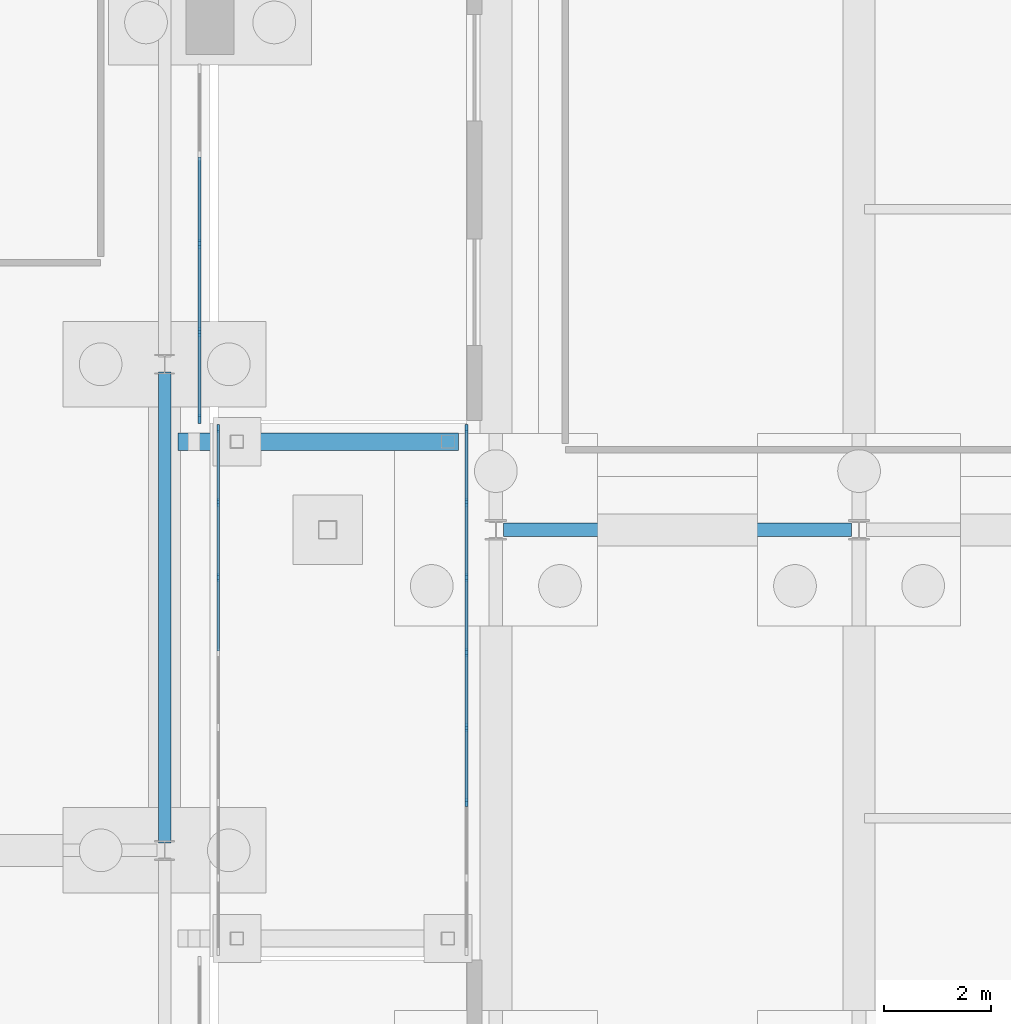
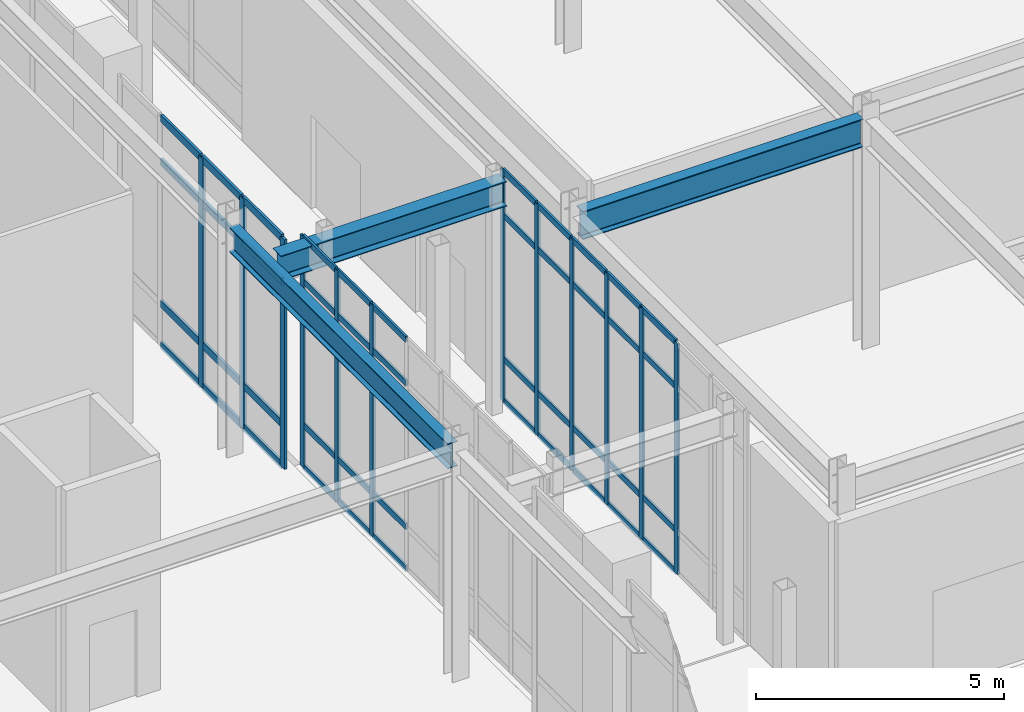
# One storey, part 57 of 143: 56 members, 3 beams, 3 elements without a shape of their own.
"""IFC4 building model written with IfcOpenShell, lengths in metres."""

from ifc_helpers import new_model, si_unit, derived_unit, direction, frame, origin, origin_2d, place, context, subcontext, project, spatial, rectangle, i_section, extrude, material, layer, layer_set, material_profile, profile_set, type_object, element, aggregate, save


model = new_model("IFC4")

# Units and contexts
model_context = context("Model", 3, precision=1e-05, world=origin(), true_north=direction((0.0, 1.0)))
body_context = subcontext(model_context, "Body", "Model", "MODEL_VIEW")
ifc_project = project(units=[si_unit("LENGTHUNIT", "METRE"), si_unit("AREAUNIT", "SQUARE_METRE"), si_unit("VOLUMEUNIT", "CUBIC_METRE"), si_unit("PLANEANGLEUNIT", "RADIAN"), si_unit("MASSUNIT", "GRAM", prefix="KILO"), derived_unit("THERMALTRANSMITTANCEUNIT", [(si_unit("MASSUNIT", "GRAM", prefix="KILO"), 1), (si_unit("TIMEUNIT", "SECOND"), -3), (si_unit("THERMODYNAMICTEMPERATUREUNIT", "KELVIN"), -1)])], contexts=[model_context])

# Site, building, storey
site_placement = place(None, origin())
site = spatial("IfcSite", under=ifc_project, at=site_placement, CompositionType="ELEMENT")
building_placement = place(site_placement, origin())
building = spatial("IfcBuilding", under=site, at=building_placement, Name="Valcora Ridge Arena", CompositionType="ELEMENT")
storey_placement = place(building_placement, origin())
storey = spatial("IfcBuildingStorey", under=building, at=storey_placement, Name="L00", CompositionType="ELEMENT", Elevation=0.0)

# Beams
ifc_material_1 = material(Name="Steel ASTM A572 Grade 50", Category="steel")
ifc_material_profile_1 = material_profile(ifc_material_1, i_section(OverallWidth=0.324951171875, OverallDepth=0.612060546875, WebThickness=0.0126953125, FlangeThickness=0.01904296875, FilletRadius=0.01806640625, at=origin_2d()), Name="W24X104")
ifc_profile_set_1 = profile_set([ifc_material_profile_1], Name="Steel ASTM A572 Grade 50")
beam_type_1 = type_object("IfcBeamType", Name="TY-BEAM-B-SJ1", PredefinedType="BEAM", material=ifc_profile_set_1)
beam_1_placement = place(storey_placement, frame((131.25, 17.64990234375, 5.3740234375), z_axis=(1.0, 0.0, 0.0), x_axis=(0.0, 1.0, 0.0)))
element("IfcBeam", 1, at=beam_1_placement, inside=storey, type_object=beam_type_1, Name="B-SJ1 BEM-SJ-B-SJ1-0004", PredefinedType="BEAM", context=body_context, shape_type="SweptSolid", body=[
    extrude(i_section(OverallWidth=0.324951171875, OverallDepth=0.612060546875, WebThickness=0.0126953125, FlangeThickness=0.01904296875, FilletRadius=0.01806640625, at=origin_2d()), origin(), (0.0, 0.0, 1.0), 5.25),
])
ifc_material_profile_2 = material_profile(ifc_material_1, i_section(OverallWidth=0.22900390625, OverallDepth=0.612060546875, WebThickness=0.011962890625, FlangeThickness=0.01953125, FilletRadius=0.01806640625, at=origin_2d()), Name="W24X84")
ifc_profile_set_2 = profile_set([ifc_material_profile_2], Name="Steel ASTM A572 Grade 50")
beam_type_2 = type_object("IfcBeamType", Name="TY-BEAM-G-W24X84-Y", PredefinedType="BEAM", material=ifc_profile_set_2)
beam_2_placement = place(storey_placement, frame((131.0, 10.139892578125, 5.333984375), z_axis=(0.0, 1.0, 0.0), x_axis=(-1.0, 0.0, 0.0)))
element("IfcBeam", 2, at=beam_2_placement, inside=storey, type_object=beam_type_2, Name="G-W24X84-Y BEM-G-W24X84-Y-0006", PredefinedType="BEAM", context=body_context, shape_type="SweptSolid", body=[
    extrude(i_section(OverallWidth=0.22900390625, OverallDepth=0.612060546875, WebThickness=0.011962890625, FlangeThickness=0.01953125, FilletRadius=0.01806640625, at=origin_2d()), origin(), (0.0, 0.0, 1.0), 8.820068359375),
])
ifc_material_profile_3 = material_profile(ifc_material_1, i_section(OverallWidth=0.256103515625, OverallDepth=0.693115234375, WebThickness=0.014404296875, FlangeThickness=0.023681640625, FilletRadius=0.02001953125, at=origin_2d()), Name="W27X114")
ifc_profile_set_3 = profile_set([ifc_material_profile_3], Name="Steel ASTM A572 Grade 50")
beam_type_3 = type_object("IfcBeamType", Name="TY-BEAM-G-W27X114-X", PredefinedType="BEAM", material=ifc_profile_set_3)
beam_3_placement = place(storey_placement, frame((137.340087890625, 16.0, 5.2734375), z_axis=(1.0, 0.0, 0.0), x_axis=(0.0, 1.0, 0.0)))
element("IfcBeam", 3, at=beam_3_placement, inside=storey, type_object=beam_type_3, Name="G-W27X114-X BEM-G-W27X114-X-0001", PredefinedType="BEAM", context=body_context, shape_type="SweptSolid", body=[
    extrude(i_section(OverallWidth=0.256103515625, OverallDepth=0.693115234375, WebThickness=0.014404296875, FlangeThickness=0.023681640625, FilletRadius=0.02001953125, at=origin_2d()), origin(), (0.0, 0.0, 1.0), 6.52001953125),
])

# Curtain wall, members
ifc_material_2 = material(Name="Anodised dark bronze architectural aluminium 6063-T6", Category="aluminium")
ifc_layer_1 = layer(ifc_material_2, 0.14990234375, Name="Anodised dark bronze architectural aluminium 6063-T6")
ifc_layer_set_1 = layer_set([ifc_layer_1], Name="Anodised dark bronze architectural aluminium 6063-T6")
curtain_wall_type_1 = type_object("IfcCurtainWallType", Name="TY-CURTAINWALL-CW-BRG-098X57", PredefinedType="NOTDEFINED", material=ifc_layer_set_1)
curtain_wall_1_placement = place(storey_placement, origin())
curtain_wall_1 = element("IfcCurtainWall", 4, at=curtain_wall_1_placement, inside=storey, type_object=curtain_wall_type_1, Name="CW-BRG-098X57 CW-0350", PredefinedType="NOTDEFINED")
ifc_material_profile_4 = material_profile(ifc_material_2, rectangle(XDim=0.050048828125, YDim=0.14990234375, at=origin_2d()), Name="ALU MULLION 50x150")
ifc_profile_set_4 = profile_set([ifc_material_profile_4], Name="Anodised dark bronze architectural aluminium 6063-T6")
member_type_1 = type_object("IfcMemberType", Name="TY-MEM-CWM-50x150", PredefinedType="MULLION", material=ifc_profile_set_4)
member_1_placement = place(storey_placement, frame((132.0, 15.108642578125, 0.0), z_axis=(0.0, 0.0, 1.0), x_axis=(-1.0, 0.0, 0.0)))
member_1 = element("IfcMember", 5, at=member_1_placement, type_object=member_type_1, Name="CW-0350/CWM-50x150/M05", PredefinedType="MULLION", context=body_context, shape_type="SweptSolid", body=[
    extrude(rectangle(XDim=0.050048828125, YDim=0.14990234375, at=origin_2d()), origin(), (0.0, 0.0, 1.0), 5.679931640625),
])
member_2_placement = place(storey_placement, frame((132.0, 16.514404296875, 0.0), z_axis=(0.0, 0.0, 1.0), x_axis=(-1.0, 0.0, 0.0)))
member_2 = element("IfcMember", 6, at=member_2_placement, type_object=member_type_1, Name="CW-0350/CWM-50x150/M06", PredefinedType="MULLION", context=body_context, shape_type="SweptSolid", body=[
    extrude(rectangle(XDim=0.050048828125, YDim=0.14990234375, at=origin_2d()), origin(), (0.0, 0.0, 1.0), 5.679931640625),
])
member_3_placement = place(storey_placement, frame((132.0, 17.89501953125, 0.0), z_axis=(0.0, 0.0, 1.0), x_axis=(-1.0, 0.0, 0.0)))
member_3 = element("IfcMember", 7, at=member_3_placement, type_object=member_type_1, Name="CW-0350/CWM-50x150/M07", PredefinedType="MULLION", context=body_context, shape_type="SweptSolid", body=[
    extrude(rectangle(XDim=0.050048828125, YDim=0.14990234375, at=origin_2d()), origin(), (0.0, 0.0, 1.0), 5.679931640625),
])

curtain_wall_2_placement = place(storey_placement, origin())
curtain_wall_2 = element("IfcCurtainWall", 8, at=curtain_wall_2_placement, inside=storey, type_object=curtain_wall_type_1, Name="CW-BRG-098X57 CW-0351", PredefinedType="NOTDEFINED")
member_4_placement = place(storey_placement, frame((136.64990234375, 10.891357421875, 0.0), z_axis=(0.0, 0.0, 1.0), x_axis=(-1.0, 0.0, 0.0)))
member_4 = element("IfcMember", 9, at=member_4_placement, type_object=member_type_1, Name="CW-0351/CWM-50x150/M02", PredefinedType="MULLION", context=body_context, shape_type="SweptSolid", body=[
    extrude(rectangle(XDim=0.050048828125, YDim=0.14990234375, at=origin_2d()), origin(), (0.0, 0.0, 1.0), 5.679931640625),
])
member_5_placement = place(storey_placement, frame((136.64990234375, 12.297119140625, 0.0), z_axis=(0.0, 0.0, 1.0), x_axis=(-1.0, 0.0, 0.0)))
member_5 = element("IfcMember", 10, at=member_5_placement, type_object=member_type_1, Name="CW-0351/CWM-50x150/M03", PredefinedType="MULLION", context=body_context, shape_type="SweptSolid", body=[
    extrude(rectangle(XDim=0.050048828125, YDim=0.14990234375, at=origin_2d()), origin(), (0.0, 0.0, 1.0), 5.679931640625),
])
member_6_placement = place(storey_placement, frame((136.64990234375, 13.702880859375, 0.0), z_axis=(0.0, 0.0, 1.0), x_axis=(-1.0, 0.0, 0.0)))
member_6 = element("IfcMember", 11, at=member_6_placement, type_object=member_type_1, Name="CW-0351/CWM-50x150/M04", PredefinedType="MULLION", context=body_context, shape_type="SweptSolid", body=[
    extrude(rectangle(XDim=0.050048828125, YDim=0.14990234375, at=origin_2d()), origin(), (0.0, 0.0, 1.0), 5.679931640625),
])
member_7_placement = place(storey_placement, frame((136.64990234375, 15.108642578125, 0.0), z_axis=(0.0, 0.0, 1.0), x_axis=(-1.0, 0.0, 0.0)))
member_7 = element("IfcMember", 12, at=member_7_placement, type_object=member_type_1, Name="CW-0351/CWM-50x150/M05", PredefinedType="MULLION", context=body_context, shape_type="SweptSolid", body=[
    extrude(rectangle(XDim=0.050048828125, YDim=0.14990234375, at=origin_2d()), origin(), (0.0, 0.0, 1.0), 5.679931640625),
])
member_8_placement = place(storey_placement, frame((136.64990234375, 16.514404296875, 0.0), z_axis=(0.0, 0.0, 1.0), x_axis=(-1.0, 0.0, 0.0)))
member_8 = element("IfcMember", 13, at=member_8_placement, type_object=member_type_1, Name="CW-0351/CWM-50x150/M06", PredefinedType="MULLION", context=body_context, shape_type="SweptSolid", body=[
    extrude(rectangle(XDim=0.050048828125, YDim=0.14990234375, at=origin_2d()), origin(), (0.0, 0.0, 1.0), 5.679931640625),
])
member_9_placement = place(storey_placement, frame((136.64990234375, 17.89501953125, 0.0), z_axis=(0.0, 0.0, 1.0), x_axis=(-1.0, 0.0, 0.0)))
member_9 = element("IfcMember", 14, at=member_9_placement, type_object=member_type_1, Name="CW-0351/CWM-50x150/M07", PredefinedType="MULLION", context=body_context, shape_type="SweptSolid", body=[
    extrude(rectangle(XDim=0.050048828125, YDim=0.14990234375, at=origin_2d()), origin(), (0.0, 0.0, 1.0), 5.679931640625),
])

ifc_layer_2 = layer(ifc_material_2, 0.179931640625, Name="Anodised dark bronze architectural aluminium 6063-T6")
ifc_layer_set_2 = layer_set([ifc_layer_2], Name="Anodised dark bronze architectural aluminium 6063-T6")
curtain_wall_type_2 = type_object("IfcCurtainWallType", Name="TY-CURTAINWALL-CW-V3-LANCET-066X56", PredefinedType="NOTDEFINED", material=ifc_layer_set_2)
curtain_wall_3_placement = place(storey_placement, origin())
curtain_wall_3 = element("IfcCurtainWall", 15, at=curtain_wall_3_placement, inside=storey, type_object=curtain_wall_type_2, Name="CW-V3-LANCET-066X56 CW-0004", PredefinedType="NOTDEFINED")
ifc_material_profile_5 = material_profile(ifc_material_2, rectangle(XDim=0.06005859375, YDim=0.179931640625, at=origin_2d()), Name="ALU MULLION 60x180")
ifc_profile_set_5 = profile_set([ifc_material_profile_5], Name="Anodised dark bronze architectural aluminium 6063-T6")
member_type_2 = type_object("IfcMemberType", Name="TY-MEM-CWM-60x180", PredefinedType="MULLION", material=ifc_profile_set_5)
member_10_placement = place(storey_placement, frame((131.64990234375, 18.080078125, 0.0), z_axis=(0.0, 0.0, 1.0), x_axis=(-1.0, 0.0, 0.0)))
member_10 = element("IfcMember", 16, at=member_10_placement, type_object=member_type_2, Name="CW-0004/CWM-60x180/M00", PredefinedType="MULLION", context=body_context, shape_type="SweptSolid", body=[
    extrude(rectangle(XDim=0.06005859375, YDim=0.179931640625, at=origin_2d()), origin(), (0.0, 0.0, 1.0), 5.639892578125),
])
member_11_placement = place(storey_placement, frame((131.64990234375, 19.702392578125, 0.0), z_axis=(0.0, 0.0, 1.0), x_axis=(-1.0, 0.0, 0.0)))
member_11 = element("IfcMember", 17, at=member_11_placement, type_object=member_type_2, Name="CW-0004/CWM-60x180/M01", PredefinedType="MULLION", context=body_context, shape_type="SweptSolid", body=[
    extrude(rectangle(XDim=0.06005859375, YDim=0.179931640625, at=origin_2d()), origin(), (0.0, 0.0, 1.0), 5.639892578125),
])
member_12_placement = place(storey_placement, frame((131.64990234375, 21.35498046875, 0.0), z_axis=(0.0, 0.0, 1.0), x_axis=(-1.0, 0.0, 0.0)))
member_12 = element("IfcMember", 18, at=member_12_placement, type_object=member_type_2, Name="CW-0004/CWM-60x180/M02", PredefinedType="MULLION", context=body_context, shape_type="SweptSolid", body=[
    extrude(rectangle(XDim=0.06005859375, YDim=0.179931640625, at=origin_2d()), origin(), (0.0, 0.0, 1.0), 5.639892578125),
])

# Member
ifc_material_profile_6 = material_profile(ifc_material_2, rectangle(XDim=0.050048828125, YDim=0.14990234375, at=origin_2d()), Name="ALU TRANSOM 50x150")
ifc_profile_set_6 = profile_set([ifc_material_profile_6], Name="Anodised dark bronze architectural aluminium 6063-T6")
member_type_3 = type_object("IfcMemberType", Name="TY-MEM-CWT-50x150", PredefinedType="USERDEFINED", material=ifc_profile_set_6)
member_13_placement = place(storey_placement, frame((132.0, 13.72802734375, 0.02490234375), z_axis=(0.0, 1.0, 0.0), x_axis=(-1.0, 0.0, 0.0)))
member_13 = element("IfcMember", 19, at=member_13_placement, type_object=member_type_3, Name="CW-0350/CWT-50x150/T04-00", ObjectType="TRANSOM", PredefinedType="USERDEFINED", context=body_context, shape_type="SweptSolid", body=[
    extrude(rectangle(XDim=0.050048828125, YDim=0.14990234375, at=origin_2d()), origin(), (0.0, 0.0, 1.0), 1.35595703125),
])

member_14_placement = place(storey_placement, frame((132.0, 13.72802734375, 1.050048828125), z_axis=(0.0, 1.0, 0.0), x_axis=(-1.0, 0.0, 0.0)))
member_14 = element("IfcMember", 20, at=member_14_placement, type_object=member_type_3, Name="CW-0350/CWT-50x150/T04-01", ObjectType="TRANSOM", PredefinedType="USERDEFINED", context=body_context, shape_type="SweptSolid", body=[
    extrude(rectangle(XDim=0.050048828125, YDim=0.14990234375, at=origin_2d()), origin(), (0.0, 0.0, 1.0), 1.35595703125),
])

member_15_placement = place(storey_placement, frame((132.0, 13.72802734375, 4.580078125), z_axis=(0.0, 1.0, 0.0), x_axis=(-1.0, 0.0, 0.0)))
member_15 = element("IfcMember", 21, at=member_15_placement, type_object=member_type_3, Name="CW-0350/CWT-50x150/T04-02", ObjectType="TRANSOM", PredefinedType="USERDEFINED", context=body_context, shape_type="SweptSolid", body=[
    extrude(rectangle(XDim=0.050048828125, YDim=0.14990234375, at=origin_2d()), origin(), (0.0, 0.0, 1.0), 1.35595703125),
])

member_16_placement = place(storey_placement, frame((132.0, 13.72802734375, 5.655029296875), z_axis=(0.0, 1.0, 0.0), x_axis=(-1.0, 0.0, 0.0)))
member_16 = element("IfcMember", 22, at=member_16_placement, type_object=member_type_3, Name="CW-0350/CWT-50x150/T04-03", ObjectType="TRANSOM", PredefinedType="USERDEFINED", context=body_context, shape_type="SweptSolid", body=[
    extrude(rectangle(XDim=0.050048828125, YDim=0.14990234375, at=origin_2d()), origin(), (0.0, 0.0, 1.0), 1.35595703125),
])

member_17_placement = place(storey_placement, frame((132.0, 15.134033203125, 0.02490234375), z_axis=(0.0, 1.0, 0.0), x_axis=(-1.0, 0.0, 0.0)))
member_17 = element("IfcMember", 23, at=member_17_placement, type_object=member_type_3, Name="CW-0350/CWT-50x150/T05-00", ObjectType="TRANSOM", PredefinedType="USERDEFINED", context=body_context, shape_type="SweptSolid", body=[
    extrude(rectangle(XDim=0.050048828125, YDim=0.14990234375, at=origin_2d()), origin(), (0.0, 0.0, 1.0), 1.35498046875),
])

member_18_placement = place(storey_placement, frame((132.0, 15.134033203125, 1.050048828125), z_axis=(0.0, 1.0, 0.0), x_axis=(-1.0, 0.0, 0.0)))
member_18 = element("IfcMember", 24, at=member_18_placement, type_object=member_type_3, Name="CW-0350/CWT-50x150/T05-01", ObjectType="TRANSOM", PredefinedType="USERDEFINED", context=body_context, shape_type="SweptSolid", body=[
    extrude(rectangle(XDim=0.050048828125, YDim=0.14990234375, at=origin_2d()), origin(), (0.0, 0.0, 1.0), 1.35498046875),
])

member_19_placement = place(storey_placement, frame((132.0, 15.134033203125, 4.580078125), z_axis=(0.0, 1.0, 0.0), x_axis=(-1.0, 0.0, 0.0)))
member_19 = element("IfcMember", 25, at=member_19_placement, type_object=member_type_3, Name="CW-0350/CWT-50x150/T05-02", ObjectType="TRANSOM", PredefinedType="USERDEFINED", context=body_context, shape_type="SweptSolid", body=[
    extrude(rectangle(XDim=0.050048828125, YDim=0.14990234375, at=origin_2d()), origin(), (0.0, 0.0, 1.0), 1.35498046875),
])

member_20_placement = place(storey_placement, frame((132.0, 15.134033203125, 5.655029296875), z_axis=(0.0, 1.0, 0.0), x_axis=(-1.0, 0.0, 0.0)))
member_20 = element("IfcMember", 26, at=member_20_placement, type_object=member_type_3, Name="CW-0350/CWT-50x150/T05-03", ObjectType="TRANSOM", PredefinedType="USERDEFINED", context=body_context, shape_type="SweptSolid", body=[
    extrude(rectangle(XDim=0.050048828125, YDim=0.14990234375, at=origin_2d()), origin(), (0.0, 0.0, 1.0), 1.35498046875),
])

member_21_placement = place(storey_placement, frame((132.0, 16.5390625, 0.02490234375), z_axis=(0.0, 1.0, 0.0), x_axis=(-1.0, 0.0, 0.0)))
member_21 = element("IfcMember", 27, at=member_21_placement, type_object=member_type_3, Name="CW-0350/CWT-50x150/T06-00", ObjectType="TRANSOM", PredefinedType="USERDEFINED", context=body_context, shape_type="SweptSolid", body=[
    extrude(rectangle(XDim=0.050048828125, YDim=0.14990234375, at=origin_2d()), origin(), (0.0, 0.0, 1.0), 1.3310546875),
])

member_22_placement = place(storey_placement, frame((132.0, 16.5390625, 1.050048828125), z_axis=(0.0, 1.0, 0.0), x_axis=(-1.0, 0.0, 0.0)))
member_22 = element("IfcMember", 28, at=member_22_placement, type_object=member_type_3, Name="CW-0350/CWT-50x150/T06-01", ObjectType="TRANSOM", PredefinedType="USERDEFINED", context=body_context, shape_type="SweptSolid", body=[
    extrude(rectangle(XDim=0.050048828125, YDim=0.14990234375, at=origin_2d()), origin(), (0.0, 0.0, 1.0), 1.3310546875),
])

member_23_placement = place(storey_placement, frame((132.0, 16.5390625, 4.580078125), z_axis=(0.0, 1.0, 0.0), x_axis=(-1.0, 0.0, 0.0)))
member_23 = element("IfcMember", 29, at=member_23_placement, type_object=member_type_3, Name="CW-0350/CWT-50x150/T06-02", ObjectType="TRANSOM", PredefinedType="USERDEFINED", context=body_context, shape_type="SweptSolid", body=[
    extrude(rectangle(XDim=0.050048828125, YDim=0.14990234375, at=origin_2d()), origin(), (0.0, 0.0, 1.0), 1.3310546875),
])

member_24_placement = place(storey_placement, frame((132.0, 16.5390625, 5.655029296875), z_axis=(0.0, 1.0, 0.0), x_axis=(-1.0, 0.0, 0.0)))
member_24 = element("IfcMember", 30, at=member_24_placement, type_object=member_type_3, Name="CW-0350/CWT-50x150/T06-03", ObjectType="TRANSOM", PredefinedType="USERDEFINED", context=body_context, shape_type="SweptSolid", body=[
    extrude(rectangle(XDim=0.050048828125, YDim=0.14990234375, at=origin_2d()), origin(), (0.0, 0.0, 1.0), 1.3310546875),
])

aggregate(curtain_wall_1, [member_1, member_2, member_3, member_13, member_14, member_15, member_16, member_17, member_18, member_19, member_20, member_21, member_22, member_23, member_24])

member_25_placement = place(storey_placement, frame((136.64990234375, 10.916015625, 0.02490234375), z_axis=(0.0, 1.0, 0.0), x_axis=(-1.0, 0.0, 0.0)))
member_25 = element("IfcMember", 31, at=member_25_placement, type_object=member_type_3, Name="CW-0351/CWT-50x150/T02-00", ObjectType="TRANSOM", PredefinedType="USERDEFINED", context=body_context, shape_type="SweptSolid", body=[
    extrude(rectangle(XDim=0.050048828125, YDim=0.14990234375, at=origin_2d()), origin(), (0.0, 0.0, 1.0), 1.35595703125),
])

member_26_placement = place(storey_placement, frame((136.64990234375, 10.916015625, 1.050048828125), z_axis=(0.0, 1.0, 0.0), x_axis=(-1.0, 0.0, 0.0)))
member_26 = element("IfcMember", 32, at=member_26_placement, type_object=member_type_3, Name="CW-0351/CWT-50x150/T02-01", ObjectType="TRANSOM", PredefinedType="USERDEFINED", context=body_context, shape_type="SweptSolid", body=[
    extrude(rectangle(XDim=0.050048828125, YDim=0.14990234375, at=origin_2d()), origin(), (0.0, 0.0, 1.0), 1.35595703125),
])

member_27_placement = place(storey_placement, frame((136.64990234375, 10.916015625, 4.580078125), z_axis=(0.0, 1.0, 0.0), x_axis=(-1.0, 0.0, 0.0)))
member_27 = element("IfcMember", 33, at=member_27_placement, type_object=member_type_3, Name="CW-0351/CWT-50x150/T02-02", ObjectType="TRANSOM", PredefinedType="USERDEFINED", context=body_context, shape_type="SweptSolid", body=[
    extrude(rectangle(XDim=0.050048828125, YDim=0.14990234375, at=origin_2d()), origin(), (0.0, 0.0, 1.0), 1.35595703125),
])

member_28_placement = place(storey_placement, frame((136.64990234375, 10.916015625, 5.655029296875), z_axis=(0.0, 1.0, 0.0), x_axis=(-1.0, 0.0, 0.0)))
member_28 = element("IfcMember", 34, at=member_28_placement, type_object=member_type_3, Name="CW-0351/CWT-50x150/T02-03", ObjectType="TRANSOM", PredefinedType="USERDEFINED", context=body_context, shape_type="SweptSolid", body=[
    extrude(rectangle(XDim=0.050048828125, YDim=0.14990234375, at=origin_2d()), origin(), (0.0, 0.0, 1.0), 1.35595703125),
])

member_29_placement = place(storey_placement, frame((136.64990234375, 12.322021484375, 0.02490234375), z_axis=(0.0, 1.0, 0.0), x_axis=(-1.0, 0.0, 0.0)))
member_29 = element("IfcMember", 35, at=member_29_placement, type_object=member_type_3, Name="CW-0351/CWT-50x150/T03-00", ObjectType="TRANSOM", PredefinedType="USERDEFINED", context=body_context, shape_type="SweptSolid", body=[
    extrude(rectangle(XDim=0.050048828125, YDim=0.14990234375, at=origin_2d()), origin(), (0.0, 0.0, 1.0), 1.35595703125),
])

member_30_placement = place(storey_placement, frame((136.64990234375, 12.322021484375, 1.050048828125), z_axis=(0.0, 1.0, 0.0), x_axis=(-1.0, 0.0, 0.0)))
member_30 = element("IfcMember", 36, at=member_30_placement, type_object=member_type_3, Name="CW-0351/CWT-50x150/T03-01", ObjectType="TRANSOM", PredefinedType="USERDEFINED", context=body_context, shape_type="SweptSolid", body=[
    extrude(rectangle(XDim=0.050048828125, YDim=0.14990234375, at=origin_2d()), origin(), (0.0, 0.0, 1.0), 1.35595703125),
])

member_31_placement = place(storey_placement, frame((136.64990234375, 12.322021484375, 4.580078125), z_axis=(0.0, 1.0, 0.0), x_axis=(-1.0, 0.0, 0.0)))
member_31 = element("IfcMember", 37, at=member_31_placement, type_object=member_type_3, Name="CW-0351/CWT-50x150/T03-02", ObjectType="TRANSOM", PredefinedType="USERDEFINED", context=body_context, shape_type="SweptSolid", body=[
    extrude(rectangle(XDim=0.050048828125, YDim=0.14990234375, at=origin_2d()), origin(), (0.0, 0.0, 1.0), 1.35595703125),
])

member_32_placement = place(storey_placement, frame((136.64990234375, 12.322021484375, 5.655029296875), z_axis=(0.0, 1.0, 0.0), x_axis=(-1.0, 0.0, 0.0)))
member_32 = element("IfcMember", 38, at=member_32_placement, type_object=member_type_3, Name="CW-0351/CWT-50x150/T03-03", ObjectType="TRANSOM", PredefinedType="USERDEFINED", context=body_context, shape_type="SweptSolid", body=[
    extrude(rectangle(XDim=0.050048828125, YDim=0.14990234375, at=origin_2d()), origin(), (0.0, 0.0, 1.0), 1.35595703125),
])

member_33_placement = place(storey_placement, frame((136.64990234375, 13.72802734375, 0.02490234375), z_axis=(0.0, 1.0, 0.0), x_axis=(-1.0, 0.0, 0.0)))
member_33 = element("IfcMember", 39, at=member_33_placement, type_object=member_type_3, Name="CW-0351/CWT-50x150/T04-00", ObjectType="TRANSOM", PredefinedType="USERDEFINED", context=body_context, shape_type="SweptSolid", body=[
    extrude(rectangle(XDim=0.050048828125, YDim=0.14990234375, at=origin_2d()), origin(), (0.0, 0.0, 1.0), 1.35595703125),
])

member_34_placement = place(storey_placement, frame((136.64990234375, 13.72802734375, 1.050048828125), z_axis=(0.0, 1.0, 0.0), x_axis=(-1.0, 0.0, 0.0)))
member_34 = element("IfcMember", 40, at=member_34_placement, type_object=member_type_3, Name="CW-0351/CWT-50x150/T04-01", ObjectType="TRANSOM", PredefinedType="USERDEFINED", context=body_context, shape_type="SweptSolid", body=[
    extrude(rectangle(XDim=0.050048828125, YDim=0.14990234375, at=origin_2d()), origin(), (0.0, 0.0, 1.0), 1.35595703125),
])

member_35_placement = place(storey_placement, frame((136.64990234375, 13.72802734375, 4.580078125), z_axis=(0.0, 1.0, 0.0), x_axis=(-1.0, 0.0, 0.0)))
member_35 = element("IfcMember", 41, at=member_35_placement, type_object=member_type_3, Name="CW-0351/CWT-50x150/T04-02", ObjectType="TRANSOM", PredefinedType="USERDEFINED", context=body_context, shape_type="SweptSolid", body=[
    extrude(rectangle(XDim=0.050048828125, YDim=0.14990234375, at=origin_2d()), origin(), (0.0, 0.0, 1.0), 1.35595703125),
])

member_36_placement = place(storey_placement, frame((136.64990234375, 13.72802734375, 5.655029296875), z_axis=(0.0, 1.0, 0.0), x_axis=(-1.0, 0.0, 0.0)))
member_36 = element("IfcMember", 42, at=member_36_placement, type_object=member_type_3, Name="CW-0351/CWT-50x150/T04-03", ObjectType="TRANSOM", PredefinedType="USERDEFINED", context=body_context, shape_type="SweptSolid", body=[
    extrude(rectangle(XDim=0.050048828125, YDim=0.14990234375, at=origin_2d()), origin(), (0.0, 0.0, 1.0), 1.35595703125),
])

member_37_placement = place(storey_placement, frame((136.64990234375, 15.134033203125, 0.02490234375), z_axis=(0.0, 1.0, 0.0), x_axis=(-1.0, 0.0, 0.0)))
member_37 = element("IfcMember", 43, at=member_37_placement, type_object=member_type_3, Name="CW-0351/CWT-50x150/T05-00", ObjectType="TRANSOM", PredefinedType="USERDEFINED", context=body_context, shape_type="SweptSolid", body=[
    extrude(rectangle(XDim=0.050048828125, YDim=0.14990234375, at=origin_2d()), origin(), (0.0, 0.0, 1.0), 1.35498046875),
])

member_38_placement = place(storey_placement, frame((136.64990234375, 15.134033203125, 1.050048828125), z_axis=(0.0, 1.0, 0.0), x_axis=(-1.0, 0.0, 0.0)))
member_38 = element("IfcMember", 44, at=member_38_placement, type_object=member_type_3, Name="CW-0351/CWT-50x150/T05-01", ObjectType="TRANSOM", PredefinedType="USERDEFINED", context=body_context, shape_type="SweptSolid", body=[
    extrude(rectangle(XDim=0.050048828125, YDim=0.14990234375, at=origin_2d()), origin(), (0.0, 0.0, 1.0), 1.35498046875),
])

member_39_placement = place(storey_placement, frame((136.64990234375, 15.134033203125, 4.580078125), z_axis=(0.0, 1.0, 0.0), x_axis=(-1.0, 0.0, 0.0)))
member_39 = element("IfcMember", 45, at=member_39_placement, type_object=member_type_3, Name="CW-0351/CWT-50x150/T05-02", ObjectType="TRANSOM", PredefinedType="USERDEFINED", context=body_context, shape_type="SweptSolid", body=[
    extrude(rectangle(XDim=0.050048828125, YDim=0.14990234375, at=origin_2d()), origin(), (0.0, 0.0, 1.0), 1.35498046875),
])

member_40_placement = place(storey_placement, frame((136.64990234375, 15.134033203125, 5.655029296875), z_axis=(0.0, 1.0, 0.0), x_axis=(-1.0, 0.0, 0.0)))
member_40 = element("IfcMember", 46, at=member_40_placement, type_object=member_type_3, Name="CW-0351/CWT-50x150/T05-03", ObjectType="TRANSOM", PredefinedType="USERDEFINED", context=body_context, shape_type="SweptSolid", body=[
    extrude(rectangle(XDim=0.050048828125, YDim=0.14990234375, at=origin_2d()), origin(), (0.0, 0.0, 1.0), 1.35498046875),
])

member_41_placement = place(storey_placement, frame((136.64990234375, 16.5390625, 0.02490234375), z_axis=(0.0, 1.0, 0.0), x_axis=(-1.0, 0.0, 0.0)))
member_41 = element("IfcMember", 47, at=member_41_placement, type_object=member_type_3, Name="CW-0351/CWT-50x150/T06-00", ObjectType="TRANSOM", PredefinedType="USERDEFINED", context=body_context, shape_type="SweptSolid", body=[
    extrude(rectangle(XDim=0.050048828125, YDim=0.14990234375, at=origin_2d()), origin(), (0.0, 0.0, 1.0), 1.3310546875),
])

member_42_placement = place(storey_placement, frame((136.64990234375, 16.5390625, 1.050048828125), z_axis=(0.0, 1.0, 0.0), x_axis=(-1.0, 0.0, 0.0)))
member_42 = element("IfcMember", 48, at=member_42_placement, type_object=member_type_3, Name="CW-0351/CWT-50x150/T06-01", ObjectType="TRANSOM", PredefinedType="USERDEFINED", context=body_context, shape_type="SweptSolid", body=[
    extrude(rectangle(XDim=0.050048828125, YDim=0.14990234375, at=origin_2d()), origin(), (0.0, 0.0, 1.0), 1.3310546875),
])

member_43_placement = place(storey_placement, frame((136.64990234375, 16.5390625, 4.580078125), z_axis=(0.0, 1.0, 0.0), x_axis=(-1.0, 0.0, 0.0)))
member_43 = element("IfcMember", 49, at=member_43_placement, type_object=member_type_3, Name="CW-0351/CWT-50x150/T06-02", ObjectType="TRANSOM", PredefinedType="USERDEFINED", context=body_context, shape_type="SweptSolid", body=[
    extrude(rectangle(XDim=0.050048828125, YDim=0.14990234375, at=origin_2d()), origin(), (0.0, 0.0, 1.0), 1.3310546875),
])

member_44_placement = place(storey_placement, frame((136.64990234375, 16.5390625, 5.655029296875), z_axis=(0.0, 1.0, 0.0), x_axis=(-1.0, 0.0, 0.0)))
member_44 = element("IfcMember", 50, at=member_44_placement, type_object=member_type_3, Name="CW-0351/CWT-50x150/T06-03", ObjectType="TRANSOM", PredefinedType="USERDEFINED", context=body_context, shape_type="SweptSolid", body=[
    extrude(rectangle(XDim=0.050048828125, YDim=0.14990234375, at=origin_2d()), origin(), (0.0, 0.0, 1.0), 1.3310546875),
])

aggregate(curtain_wall_2, [member_4, member_5, member_6, member_7, member_8, member_9, member_25, member_26, member_27, member_28, member_29, member_30, member_31, member_32, member_33, member_34, member_35, member_36, member_37, member_38, member_39, member_40, member_41, member_42, member_43, member_44])

ifc_material_profile_7 = material_profile(ifc_material_2, rectangle(XDim=0.06005859375, YDim=0.179931640625, at=origin_2d()), Name="ALU TRANSOM 60x180")
ifc_profile_set_7 = profile_set([ifc_material_profile_7], Name="Anodised dark bronze architectural aluminium 6063-T6")
member_type_4 = type_object("IfcMemberType", Name="TY-MEM-CWT-60x180", PredefinedType="USERDEFINED", material=ifc_profile_set_7)
member_45_placement = place(storey_placement, frame((131.64990234375, 18.110107421875, 0.030029296875), z_axis=(0.0, 1.0, 0.0), x_axis=(-1.0, 0.0, 0.0)))
member_45 = element("IfcMember", 51, at=member_45_placement, type_object=member_type_4, Name="CW-0004/CWT-60x180/T00-00", ObjectType="TRANSOM", PredefinedType="USERDEFINED", context=body_context, shape_type="SweptSolid", body=[
    extrude(rectangle(XDim=0.06005859375, YDim=0.179931640625, at=origin_2d()), origin(), (0.0, 0.0, 1.0), 1.56298828125),
])

member_46_placement = place(storey_placement, frame((131.64990234375, 18.110107421875, 1.050048828125), z_axis=(0.0, 1.0, 0.0), x_axis=(-1.0, 0.0, 0.0)))
member_46 = element("IfcMember", 52, at=member_46_placement, type_object=member_type_4, Name="CW-0004/CWT-60x180/T00-01", ObjectType="TRANSOM", PredefinedType="USERDEFINED", context=body_context, shape_type="SweptSolid", body=[
    extrude(rectangle(XDim=0.06005859375, YDim=0.179931640625, at=origin_2d()), origin(), (0.0, 0.0, 1.0), 1.56298828125),
])

member_47_placement = place(storey_placement, frame((131.64990234375, 18.110107421875, 4.5400390625), z_axis=(0.0, 1.0, 0.0), x_axis=(-1.0, 0.0, 0.0)))
member_47 = element("IfcMember", 53, at=member_47_placement, type_object=member_type_4, Name="CW-0004/CWT-60x180/T00-02", ObjectType="TRANSOM", PredefinedType="USERDEFINED", context=body_context, shape_type="SweptSolid", body=[
    extrude(rectangle(XDim=0.06005859375, YDim=0.179931640625, at=origin_2d()), origin(), (0.0, 0.0, 1.0), 1.56298828125),
])

member_48_placement = place(storey_placement, frame((131.64990234375, 18.110107421875, 5.610107421875), z_axis=(0.0, 1.0, 0.0), x_axis=(-1.0, 0.0, 0.0)))
member_48 = element("IfcMember", 54, at=member_48_placement, type_object=member_type_4, Name="CW-0004/CWT-60x180/T00-03", ObjectType="TRANSOM", PredefinedType="USERDEFINED", context=body_context, shape_type="SweptSolid", body=[
    extrude(rectangle(XDim=0.06005859375, YDim=0.179931640625, at=origin_2d()), origin(), (0.0, 0.0, 1.0), 1.56298828125),
])

member_49_placement = place(storey_placement, frame((131.64990234375, 19.73291015625, 0.030029296875), z_axis=(0.0, 1.0, 0.0), x_axis=(-1.0, 0.0, 0.0)))
member_49 = element("IfcMember", 55, at=member_49_placement, type_object=member_type_4, Name="CW-0004/CWT-60x180/T01-00", ObjectType="TRANSOM", PredefinedType="USERDEFINED", context=body_context, shape_type="SweptSolid", body=[
    extrude(rectangle(XDim=0.06005859375, YDim=0.179931640625, at=origin_2d()), origin(), (0.0, 0.0, 1.0), 1.592041015625),
])

member_50_placement = place(storey_placement, frame((131.64990234375, 19.73291015625, 1.050048828125), z_axis=(0.0, 1.0, 0.0), x_axis=(-1.0, 0.0, 0.0)))
member_50 = element("IfcMember", 56, at=member_50_placement, type_object=member_type_4, Name="CW-0004/CWT-60x180/T01-01", ObjectType="TRANSOM", PredefinedType="USERDEFINED", context=body_context, shape_type="SweptSolid", body=[
    extrude(rectangle(XDim=0.06005859375, YDim=0.179931640625, at=origin_2d()), origin(), (0.0, 0.0, 1.0), 1.592041015625),
])

member_51_placement = place(storey_placement, frame((131.64990234375, 19.73291015625, 4.5400390625), z_axis=(0.0, 1.0, 0.0), x_axis=(-1.0, 0.0, 0.0)))
member_51 = element("IfcMember", 57, at=member_51_placement, type_object=member_type_4, Name="CW-0004/CWT-60x180/T01-02", ObjectType="TRANSOM", PredefinedType="USERDEFINED", context=body_context, shape_type="SweptSolid", body=[
    extrude(rectangle(XDim=0.06005859375, YDim=0.179931640625, at=origin_2d()), origin(), (0.0, 0.0, 1.0), 1.592041015625),
])

member_52_placement = place(storey_placement, frame((131.64990234375, 19.73291015625, 5.610107421875), z_axis=(0.0, 1.0, 0.0), x_axis=(-1.0, 0.0, 0.0)))
member_52 = element("IfcMember", 58, at=member_52_placement, type_object=member_type_4, Name="CW-0004/CWT-60x180/T01-03", ObjectType="TRANSOM", PredefinedType="USERDEFINED", context=body_context, shape_type="SweptSolid", body=[
    extrude(rectangle(XDim=0.06005859375, YDim=0.179931640625, at=origin_2d()), origin(), (0.0, 0.0, 1.0), 1.592041015625),
])

member_53_placement = place(storey_placement, frame((131.64990234375, 21.385009765625, 0.030029296875), z_axis=(0.0, 1.0, 0.0), x_axis=(-1.0, 0.0, 0.0)))
member_53 = element("IfcMember", 59, at=member_53_placement, type_object=member_type_4, Name="CW-0004/CWT-60x180/T02-00", ObjectType="TRANSOM", PredefinedType="USERDEFINED", context=body_context, shape_type="SweptSolid", body=[
    extrude(rectangle(XDim=0.06005859375, YDim=0.179931640625, at=origin_2d()), origin(), (0.0, 0.0, 1.0), 1.593017578125),
])

member_54_placement = place(storey_placement, frame((131.64990234375, 21.385009765625, 1.050048828125), z_axis=(0.0, 1.0, 0.0), x_axis=(-1.0, 0.0, 0.0)))
member_54 = element("IfcMember", 60, at=member_54_placement, type_object=member_type_4, Name="CW-0004/CWT-60x180/T02-01", ObjectType="TRANSOM", PredefinedType="USERDEFINED", context=body_context, shape_type="SweptSolid", body=[
    extrude(rectangle(XDim=0.06005859375, YDim=0.179931640625, at=origin_2d()), origin(), (0.0, 0.0, 1.0), 1.593017578125),
])

member_55_placement = place(storey_placement, frame((131.64990234375, 21.385009765625, 4.5400390625), z_axis=(0.0, 1.0, 0.0), x_axis=(-1.0, 0.0, 0.0)))
member_55 = element("IfcMember", 61, at=member_55_placement, type_object=member_type_4, Name="CW-0004/CWT-60x180/T02-02", ObjectType="TRANSOM", PredefinedType="USERDEFINED", context=body_context, shape_type="SweptSolid", body=[
    extrude(rectangle(XDim=0.06005859375, YDim=0.179931640625, at=origin_2d()), origin(), (0.0, 0.0, 1.0), 1.593017578125),
])

member_56_placement = place(storey_placement, frame((131.64990234375, 21.385009765625, 5.610107421875), z_axis=(0.0, 1.0, 0.0), x_axis=(-1.0, 0.0, 0.0)))
member_56 = element("IfcMember", 62, at=member_56_placement, type_object=member_type_4, Name="CW-0004/CWT-60x180/T02-03", ObjectType="TRANSOM", PredefinedType="USERDEFINED", context=body_context, shape_type="SweptSolid", body=[
    extrude(rectangle(XDim=0.06005859375, YDim=0.179931640625, at=origin_2d()), origin(), (0.0, 0.0, 1.0), 1.593017578125),
])

aggregate(curtain_wall_3, [member_10, member_11, member_12, member_45, member_46, member_47, member_48, member_49, member_50, member_51, member_52, member_53, member_54, member_55, member_56])

save(model, "model.ifc")
